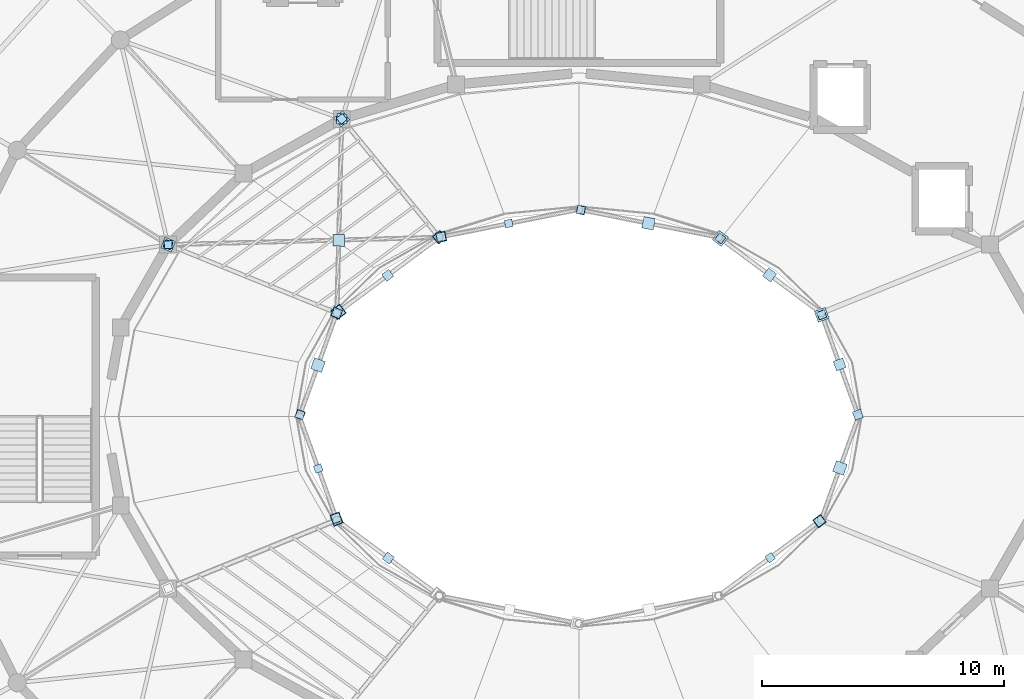
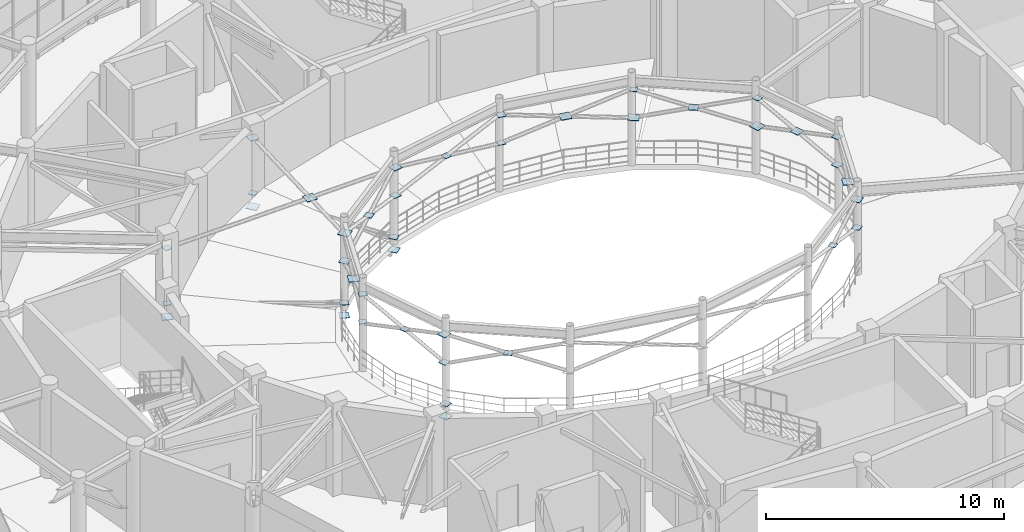
# One storey, part 95 of 144: 41 plates.
"""IFC4 building model written with IfcOpenShell, lengths in metres."""

from ifc_helpers import new_model, si_unit, direction, frame, origin, origin_2d, place, context, subcontext, project, spatial, rectangle, extrude, material, layer, layer_set, type_object, element, save


model = new_model("IFC4")

# Units and contexts
model_context = context("Model", 3, precision=1e-05, world=origin(), true_north=direction((0.0, 1.0)))
body_context = subcontext(model_context, "Body", "Model", "MODEL_VIEW")
ifc_project = project(units=[si_unit("LENGTHUNIT", "METRE"), si_unit("AREAUNIT", "SQUARE_METRE"), si_unit("VOLUMEUNIT", "CUBIC_METRE"), si_unit("PLANEANGLEUNIT", "RADIAN"), si_unit("MASSUNIT", "GRAM", prefix="KILO")], contexts=[model_context])

# Site, building, storey
site_placement = place(None, origin())
site = spatial("IfcSite", under=ifc_project, at=site_placement, CompositionType="ELEMENT")
building_placement = place(site_placement, origin())
building = spatial("IfcBuilding", under=site, at=building_placement, Name="Cinderbank Siding Concert Hall", CompositionType="ELEMENT")
storey_placement = place(building_placement, frame((0.0, 0.0, 5.39990234375)))
storey = spatial("IfcBuildingStorey", under=building, at=storey_placement, Name="L02", CompositionType="ELEMENT", Elevation=5.39990234375)

# Plates
ifc_material = material(Name="Structural steel welded plate section AS/NZS 3679.2 / AS/NZS 3678 Grade 350 (340 MPa)", Category="steel")
ifc_layer_1 = layer(ifc_material, 0.02490234375)
ifc_layer_set_1 = layer_set([ifc_layer_1], Name="Structural steel welded plate section AS/NZS 3679.2 / AS/NZS 3678 Grade 350 (340 MPa)")
plate_type_1 = type_object("IfcPlateType", Name="GP-01 Steel Gusset Cap Plate 480x480x25", PredefinedType="SHEET", material=ifc_layer_set_1)
for number, where, z_axis, x_axis, name in (
    (1, (112.199951171875, 56.297607421875, 0.28759765625), (0.0, 0.0, 1.0), (0.635269828282, -0.77229025973, 0.0), "L02 Steel Node Gusset Plate GP-01 #1012"),
    (2, (105.02587890625, 51.10009765625, 0.28759765625), (0.0, 0.0, 1.0), (0.926791059146, -0.375577332499, 0.0), "L02 Steel Node Gusset Plate GP-01 #1016"),
    (3, (132.02978515625, 48.19970703125, 2.3876953125), (0.0, 0.0, 1.0), (0.340379550213, -0.94028812701, 0.0), "L02 Steel Node Gusset Plate GP-01 #1116"),
    (4, (127.83935546875, 51.35693359375, 2.3876953125), (0.0, 0.0, 1.0), (0.803753032213, -0.59496307718, 0.0), "L02 Steel Node Gusset Plate GP-01 #1120"),
    (5, (124.873291015625, 51.97998046875, 3.10400390625), (0.0, 0.0, 1.0), (0.980887295008, -0.194576757325, 0.0), "L02 Steel Node Gusset Plate GP-01 #1124"),
    (6, (112.061767578125, 48.322509765625, 3.82763671875), (0.0, 0.0, 1.0), (-0.803753032213, -0.59496307718, 0.0), "L02 Steel Node Gusset Plate GP-01 #1128"),
    (7, (112.0732421875, 51.276611328125, 3.82763671875), (0.0, 0.0, 1.0), (0.025304572866, 0.999679788028, 0.0), "L02 Steel Node Gusset Plate GP-01 #1132"),
    (8, (111.21875, 46.1240234375, 3.10302734375), (0.0, 0.0, 1.0), (0.340379550213, 0.94028812701, 0.0), "L02 Steel Node Gusset Plate GP-01 #1136"),
    (9, (132.78125, 41.8759765625, 3.10302734375), (0.0, 0.0, 1.0), (-0.340379550213, -0.94028812701, 0.0), "L02 Steel Node Gusset Plate GP-01 #1152"),
):
    element("IfcPlate", number, at=place(storey_placement, frame(where, z_axis=z_axis, x_axis=x_axis)), inside=storey, type_object=plate_type_1, Name=name, PredefinedType="SHEET", context=body_context, shape_type="SweptSolid", body=[
        extrude(rectangle(XDim=0.47998046875, YDim=0.47998046875, at=origin_2d()), origin(), (0.0, 0.0, 1.0), 0.02490234375),
    ])
ifc_layer_2 = layer(ifc_material, 0.02197265625)
ifc_layer_set_2 = layer_set([ifc_layer_2], Name="Structural steel welded plate section AS/NZS 3679.2 / AS/NZS 3678 Grade 350 (340 MPa)")
plate_type_2 = type_object("IfcPlateType", Name="GP-02 Steel Gusset Cap Plate 420x420x22", PredefinedType="SHEET", material=ifc_layer_set_2)
for number, where, z_axis, x_axis, name in (
    (10, (116.22509765625, 51.404541015625, -0.36083984375), (0.0, 0.0, 1.0), (0.635269828282, -0.77229025973, 0.0), "L02 Steel Node Gusset Plate GP-02 #1013"),
    (11, (111.997314453125, 48.27490234375, -0.36083984375), (0.0, 0.0, 1.0), (0.926791059146, -0.375577332499, 0.0), "L02 Steel Node Gusset Plate GP-02 #1017"),
    (12, (111.997314453125, 39.72509765625, -0.36083984375), (0.0, 0.0, 1.0), (0.926791059146, 0.375577332499, 0.0), "L02 Steel Node Gusset Plate GP-02 #1021"),
    (13, (132.771484375, 46.15087890625, 3.1044921875), (0.0, 0.0, 1.0), (0.340379550213, -0.94028812701, 0.0), "L02 Steel Node Gusset Plate GP-02 #1117"),
    (14, (129.877197265625, 49.848388671875, 3.10498046875), (0.0, 0.0, 1.0), (0.803753032213, -0.59496307718, 0.0), "L02 Steel Node Gusset Plate GP-02 #1121"),
    (15, (116.303466796875, 51.420166015625, 3.8291015625), (0.0, 0.0, 1.0), (-0.980887295008, -0.194576757325, 0.0), "L02 Steel Node Gusset Plate GP-02 #1125"),
    (16, (112.061767578125, 48.322509765625, 2.38916015625), (0.0, 0.0, 1.0), (0.803753032213, 0.59496307718, 0.0), "L02 Steel Node Gusset Plate GP-02 #1129"),
    (17, (112.199951171875, 56.297607421875, 3.8291015625), (0.0, 0.0, 1.0), (0.025304572866, 0.999679788028, 0.0), "L02 Steel Node Gusset Plate GP-02 #1133"),
    (18, (111.97021484375, 39.80029296875, 3.8291015625), (0.0, 0.0, 1.0), (0.340379550213, -0.94028812701, 0.0), "L02 Steel Node Gusset Plate GP-02 #1137"),
    (19, (131.938232421875, 39.677490234375, 3.8291015625), (0.0, 0.0, 1.0), (0.803753032213, 0.59496307718, 0.0), "L02 Steel Node Gusset Plate GP-02 #1149"),
):
    element("IfcPlate", number, at=place(storey_placement, frame(where, z_axis=z_axis, x_axis=x_axis)), inside=storey, type_object=plate_type_2, Name=name, PredefinedType="SHEET", context=body_context, shape_type="SweptSolid", body=[
        extrude(rectangle(XDim=0.419921875, YDim=0.419921875, at=origin_2d()), origin(), (0.0, 0.0, 1.0), 0.02197265625),
    ])
ifc_layer_3 = layer(ifc_material, 0.02001953125)
ifc_layer_set_3 = layer_set([ifc_layer_3], Name="Structural steel welded plate section AS/NZS 3679.2 / AS/NZS 3678 Grade 350 (340 MPa)")
plate_type_3 = type_object("IfcPlateType", Name="GP-03 Steel Gusset Cap Plate 360x360x20", PredefinedType="SHEET", material=ifc_layer_set_3)
for number, where, z_axis, x_axis, name in (
    (20, (116.22509765625, 51.404541015625, 0.2900390625), (0.0, 0.0, 1.0), (-0.635269828282, 0.77229025973, 0.0), "L02 Steel Node Gusset Plate GP-03 #1010"),
    (21, (111.997314453125, 48.27490234375, 0.2900390625), (0.0, 0.0, 1.0), (-0.926791059146, 0.375577332499, 0.0), "L02 Steel Node Gusset Plate GP-03 #1014"),
    (22, (111.997314453125, 39.72509765625, 0.2900390625), (0.0, 0.0, 1.0), (-0.926791059146, -0.375577332499, 0.0), "L02 Steel Node Gusset Plate GP-03 #1018"),
    (23, (133.522705078125, 44.0751953125, 2.39013671875), (0.0, 0.0, 1.0), (-0.340379550213, 0.94028812701, 0.0), "L02 Steel Node Gusset Plate GP-03 #1114"),
    (24, (133.522705078125, 44.0751953125, 3.830078125), (0.0, 0.0, 1.0), (0.340379550213, -0.94028812701, 0.0), "L02 Steel Node Gusset Plate GP-03 #1118"),
    (25, (122.07861328125, 52.534423828125, 3.830078125), (0.0, 0.0, 1.0), (-0.980887295008, 0.194576757325, 0.0), "L02 Steel Node Gusset Plate GP-03 #1122"),
    (26, (116.303466796875, 51.420166015625, 2.39013671875), (0.0, 0.0, 1.0), (0.980887295008, 0.194576757325, 0.0), "L02 Steel Node Gusset Plate GP-03 #1126"),
    (27, (114.099609375, 49.831298828125, 3.10595703125), (0.0, 0.0, 1.0), (0.803753032213, 0.59496307718, 0.0), "L02 Steel Node Gusset Plate GP-03 #1130"),
    (28, (110.477294921875, 44.0751953125, 3.830078125), (0.0, 0.0, 1.0), (-0.340379550213, -0.94028812701, 0.0), "L02 Steel Node Gusset Plate GP-03 #1134"),
    (29, (111.97021484375, 39.80029296875, 2.39013671875), (0.0, 0.0, 1.0), (-0.340379550213, 0.94028812701, 0.0), "L02 Steel Node Gusset Plate GP-03 #1138"),
    (30, (114.122802734375, 38.151611328125, 3.10595703125), (0.0, 0.0, 1.0), (-0.803753032213, 0.59496307718, 0.0), "L02 Steel Node Gusset Plate GP-03 #1142"),
    (31, (131.938232421875, 39.677490234375, 2.39013671875), (0.0, 0.0, 1.0), (-0.803753032213, -0.59496307718, 0.0), "L02 Steel Node Gusset Plate GP-03 #1150"),
):
    element("IfcPlate", number, at=place(storey_placement, frame(where, z_axis=z_axis, x_axis=x_axis)), inside=storey, type_object=plate_type_3, Name=name, PredefinedType="SHEET", context=body_context, shape_type="SweptSolid", body=[
        extrude(rectangle(XDim=0.360107421875, YDim=0.360107421875, at=origin_2d()), origin(), (0.0, 0.0, 1.0), 0.02001953125),
    ])
ifc_layer_4 = layer(ifc_material, 0.02099609375)
ifc_layer_set_4 = layer_set([ifc_layer_4], Name="Structural steel welded plate section AS/NZS 3679.2 / AS/NZS 3678 Grade 350 (340 MPa)")
plate_type_4 = type_object("IfcPlateType", Name="GP-04 Steel Gusset Cap Plate 320x320x21", PredefinedType="SHEET", material=ifc_layer_set_4)
for number, where, z_axis, x_axis, name in (
    (32, (112.199951171875, 56.297607421875, 0.989501953125), (0.0, 0.0, 1.0), (-0.635269828282, 0.77229025973, 0.0), "L02 Steel Node Gusset Plate GP-04 #1011"),
    (33, (105.02587890625, 51.10009765625, 0.989501953125), (0.0, 0.0, 1.0), (-0.926791059146, 0.375577332499, 0.0), "L02 Steel Node Gusset Plate GP-04 #1015"),
    (34, (132.02978515625, 48.19970703125, 3.82958984375), (0.0, 0.0, 1.0), (-0.340379550213, 0.94028812701, 0.0), "L02 Steel Node Gusset Plate GP-04 #1115"),
    (35, (127.83935546875, 51.35693359375, 3.82958984375), (0.0, 0.0, 1.0), (-0.803753032213, 0.59496307718, 0.0), "L02 Steel Node Gusset Plate GP-04 #1119"),
    (36, (122.07861328125, 52.534423828125, 2.3896484375), (0.0, 0.0, 1.0), (0.980887295008, -0.194576757325, 0.0), "L02 Steel Node Gusset Plate GP-04 #1123"),
    (37, (119.09814453125, 51.974365234375, 3.10595703125), (0.0, 0.0, 1.0), (0.980887295008, 0.194576757325, 0.0), "L02 Steel Node Gusset Plate GP-04 #1127"),
    (38, (105.02587890625, 51.10009765625, 3.82958984375), (0.0, 0.0, 1.0), (-0.999629364421, -0.027223772466, 0.0), "L02 Steel Node Gusset Plate GP-04 #1131"),
    (39, (110.477294921875, 44.0751953125, 2.3896484375), (0.0, 0.0, 1.0), (0.340379550213, 0.94028812701, 0.0), "L02 Steel Node Gusset Plate GP-04 #1135"),
    (40, (111.228515625, 41.84912109375, 3.10498046875), (0.0, 0.0, 1.0), (-0.340379550213, 0.94028812701, 0.0), "L02 Steel Node Gusset Plate GP-04 #1139"),
    (41, (129.900390625, 38.168701171875, 3.10546875), (0.0, 0.0, 1.0), (-0.803753032213, -0.59496307718, 0.0), "L02 Steel Node Gusset Plate GP-04 #1151"),
):
    element("IfcPlate", number, at=place(storey_placement, frame(where, z_axis=z_axis, x_axis=x_axis)), inside=storey, type_object=plate_type_4, Name=name, PredefinedType="SHEET", context=body_context, shape_type="SweptSolid", body=[
        extrude(rectangle(XDim=0.320068359375, YDim=0.320068359375, at=origin_2d()), origin(), (0.0, 0.0, 1.0), 0.02099609375),
    ])

save(model, "model.ifc")
